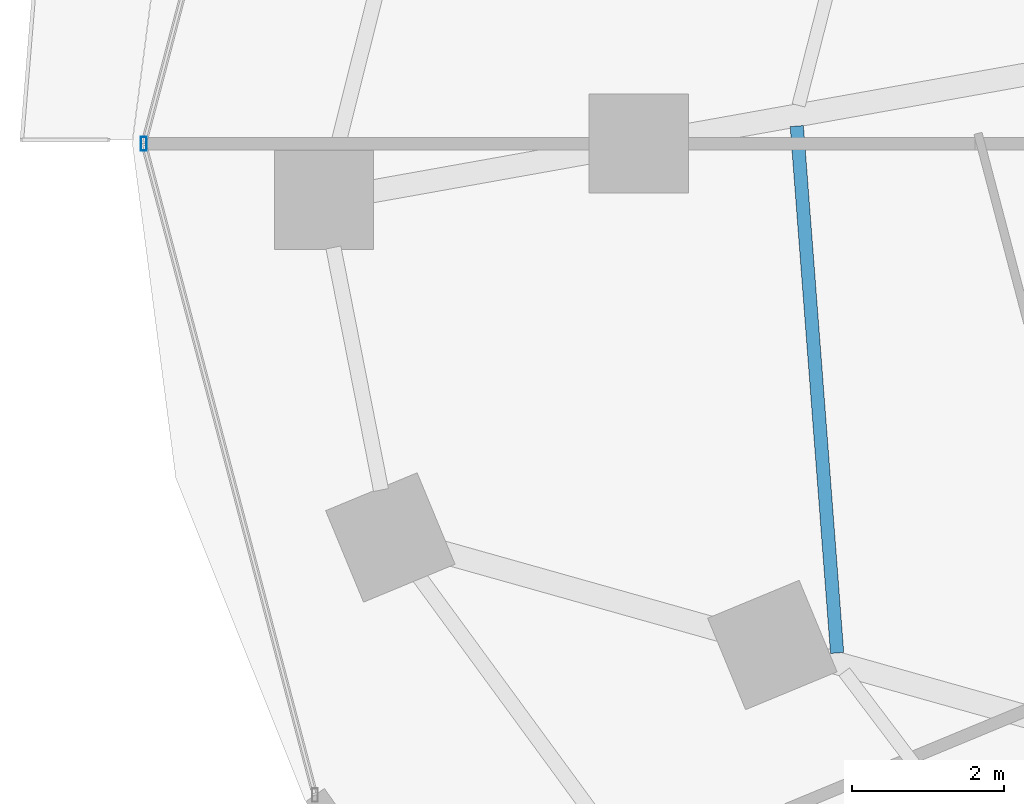
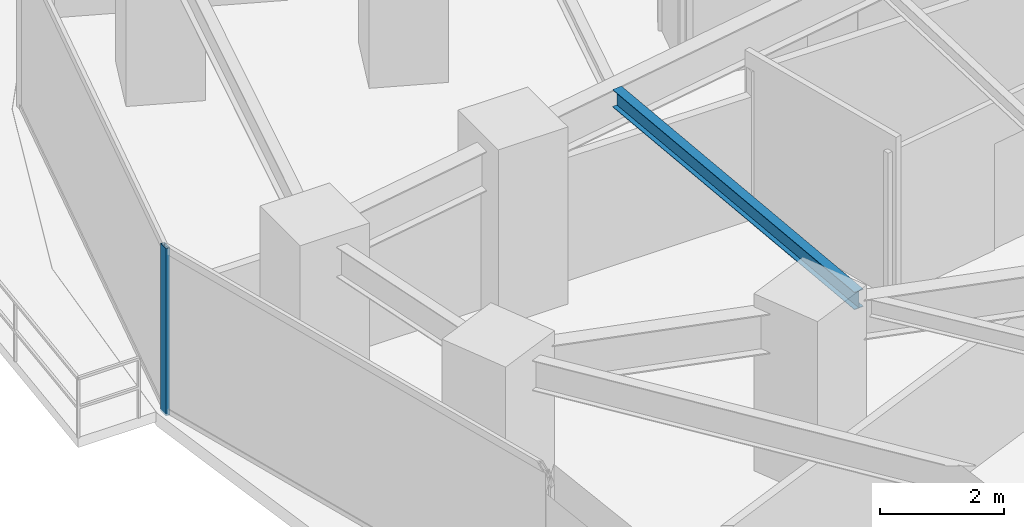
# One storey, part 8 of 36: 1 beam, 1 member, 1 element without a shape of its own.
"""IFC4 building model written with IfcOpenShell, lengths in metres."""

from ifc_helpers import new_model, si_unit, direction, frame, origin, origin_2d, place, context, subcontext, project, spatial, hollow_rectangle, i_section, extrude, material, material_profile, profile_set, type_object, element, aggregate, save


model = new_model("IFC4")

# Units and contexts
model_context = context("Model", 3, precision=1e-05, world=origin(), true_north=direction((0.0, 1.0)))
body_context = subcontext(model_context, "Body", "Model", "MODEL_VIEW")
ifc_project = project(units=[si_unit("LENGTHUNIT", "METRE"), si_unit("AREAUNIT", "SQUARE_METRE"), si_unit("VOLUMEUNIT", "CUBIC_METRE"), si_unit("PLANEANGLEUNIT", "RADIAN"), si_unit("MASSUNIT", "GRAM", prefix="KILO")], contexts=[model_context])

# Site, building, storey
site_placement = place(None, origin())
site = spatial("IfcSite", under=ifc_project, at=site_placement, CompositionType="ELEMENT")
building_placement = place(site_placement, origin())
building = spatial("IfcBuilding", under=site, at=building_placement, Name="Vorneva Point Tower", CompositionType="ELEMENT")
storey_placement = place(building_placement, frame((0.0, 0.0, 24.0)))
storey = spatial("IfcBuildingStorey", under=building, at=storey_placement, Name="L05", CompositionType="ELEMENT", Elevation=24.0)

# Beam
ifc_material_1 = material(Name="Steel S355", Category="steel")
ifc_material_profile_1 = material_profile(ifc_material_1, i_section(OverallWidth=0.174072265625, OverallDepth=0.345947265625, WebThickness=0.006103515625, FlangeThickness=0.009033203125, at=origin_2d()), Name="35B1")
ifc_profile_set_1 = profile_set([ifc_material_profile_1], Name="Steel S355")
beam_type = type_object("IfcBeamType", Name="BM-SEC-35B1", PredefinedType="BEAM", material=ifc_profile_set_1)
beam_placement = place(storey_placement, frame((17.025390625, 26.231689453125, 3.06689453125), z_axis=(0.076314434711, -0.99708380142, 0.0), x_axis=(0.99708380142, 0.076314434711, 0.0)))
element("IfcBeam", 1, at=beam_placement, inside=storey, type_object=beam_type, Name="L05 Secondary Floor Beam 1.09", PredefinedType="BEAM", context=body_context, shape_type="SweptSolid", body=[
    extrude(i_section(OverallWidth=0.174072265625, OverallDepth=0.345947265625, WebThickness=0.006103515625, FlangeThickness=0.009033203125, at=origin_2d()), origin(), (0.0, 0.0, 1.0), 6.93896484375),
])

# Curtain wall, member
ifc_material_2 = material(Name="Pale anodised aluminium", Category="aluminium")
curtain_wall_type = type_object("IfcCurtainWallType", Name="CW-HTL-SYS", PredefinedType="NOTDEFINED", material=ifc_material_2)
curtain_wall_placement = place(storey_placement, origin())
curtain_wall = element("IfcCurtainWall", 2, at=curtain_wall_placement, inside=storey, type_object=curtain_wall_type, Name="L05 Unitised Curtain Wall CW-L05-R03", PredefinedType="NOTDEFINED")
ifc_material_profile_2 = material_profile(ifc_material_2, hollow_rectangle(XDim=0.074951171875, YDim=0.179931640625, WallThickness=0.00390625, at=origin_2d()), Name="AL-MUL 180x75x4")
ifc_profile_set_2 = profile_set([ifc_material_profile_2], Name="Pale anodised aluminium")
member_type = type_object("IfcMemberType", Name="CW-MUL-180", PredefinedType="MULLION", material=ifc_profile_set_2)
member_placement = place(storey_placement, frame((8.449951171875, 26.0, -0.0400390625), z_axis=(0.0, 0.0, 1.0), x_axis=(1.0, 0.0, 0.0)))
member = element("IfcMember", 3, at=member_placement, type_object=member_type, Name="CW-L05-R03 Mullion 03", PredefinedType="MULLION", context=body_context, shape_type="SweptSolid", body=[
    extrude(hollow_rectangle(XDim=0.074951171875, YDim=0.179931640625, WallThickness=0.00390625, at=origin_2d()), origin(), (0.0, 0.0, 1.0), 3.31005859375),
])
aggregate(curtain_wall, [member])

save(model, "model.ifc")
